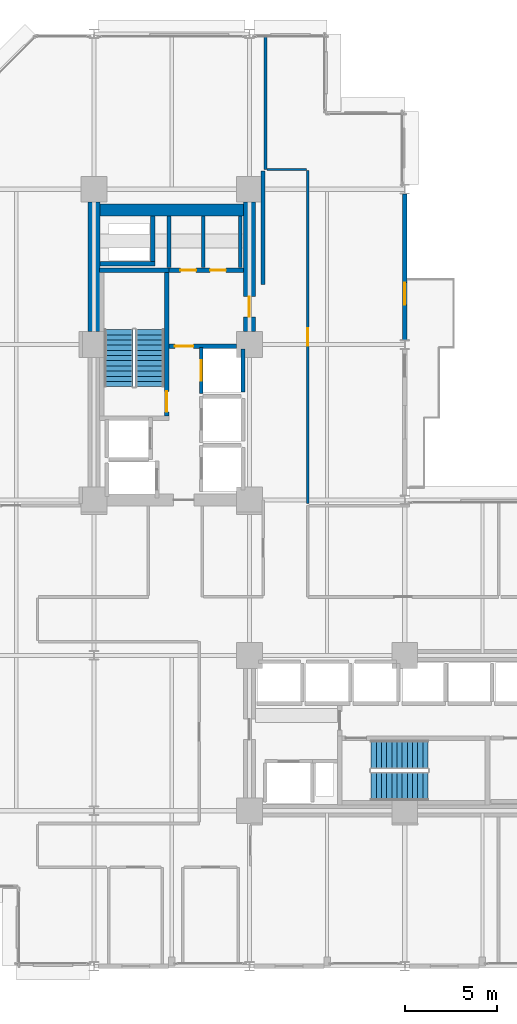
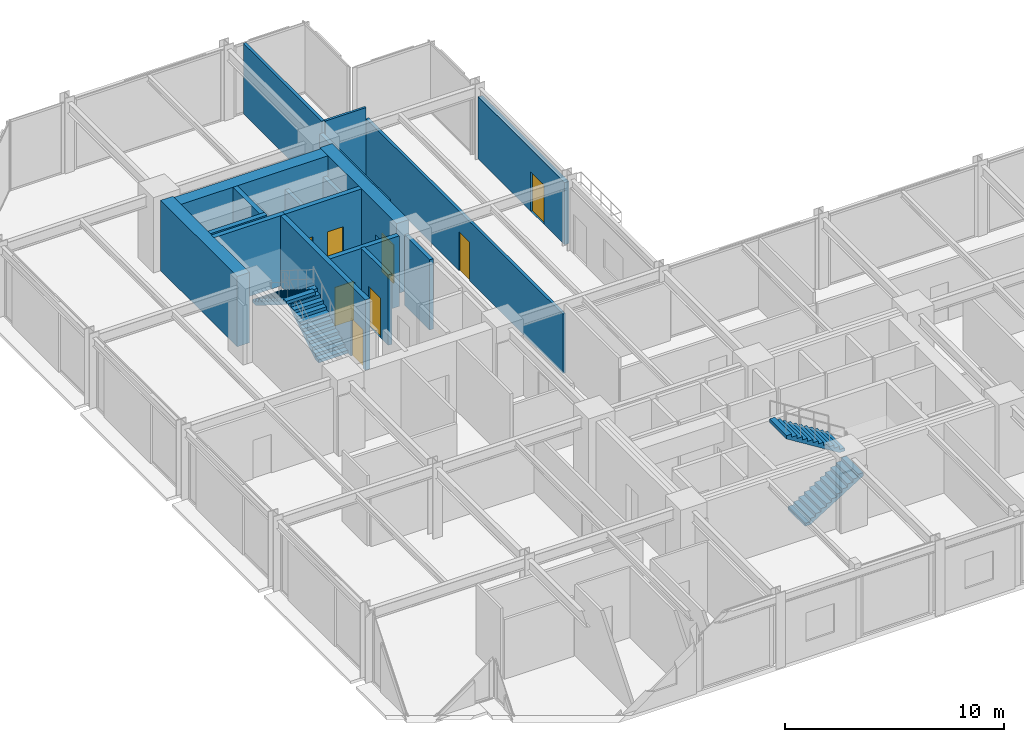
# One storey, part 22 of 25: 19 walls, 8 doors, 4 stair flights, 8 openings, 2 elements without a shape of their own.
"""IFC4 building model written with IfcOpenShell, lengths in metres."""

from ifc_helpers import new_model, si_unit, direction, frame, frame_2d, origin, place, context, subcontext, project, spatial, polyline, rectangle, outline, extrude, material, layer, layer_set, type_object, element, fill, aggregate, save


model = new_model("IFC4")

# Units and contexts
model_context = context("Model", 3, precision=1e-05, world=origin(), true_north=direction((0.0, 1.0)))
body_context = subcontext(model_context, "Body", "Model", "MODEL_VIEW")
ifc_project = project(units=[si_unit("LENGTHUNIT", "METRE"), si_unit("AREAUNIT", "SQUARE_METRE"), si_unit("VOLUMEUNIT", "CUBIC_METRE"), si_unit("PLANEANGLEUNIT", "RADIAN"), si_unit("MASSUNIT", "GRAM", prefix="KILO")], contexts=[model_context])

# Site, building, storey
site_placement = place(None, origin())
site = spatial("IfcSite", under=ifc_project, at=site_placement, CompositionType="ELEMENT")
building_placement = place(site_placement, origin())
building = spatial("IfcBuilding", under=site, at=building_placement, Name="Nerrivon Quay Data Exchange", CompositionType="ELEMENT")
storey_placement = place(building_placement, frame((0.0, 0.0, 41.60009765625)))
storey = spatial("IfcBuildingStorey", under=building, at=storey_placement, Name="L09", CompositionType="ELEMENT", Elevation=41.60009765625)

# Wall, opening, door
ifc_material_1 = material(Name="Architectural terracotta precast concrete N50 (50 MPa)", Category="masonry")
ifc_layer_1 = layer(ifc_material_1, 0.239990234375)
ifc_layer_set_1 = layer_set([ifc_layer_1], Name="Architectural terracotta precast concrete N50 (50 MPa)")
wall_type_1 = type_object("IfcWallType", Name="EW-PREC-240", PredefinedType="STANDARD", material=ifc_layer_set_1)
wall_1_placement = place(storey_placement, frame((25.199951171875, 41.75, 0.0), z_axis=(0.0, 0.0, 1.0), x_axis=(0.0, -1.0, 0.0)))
wall_1 = element("IfcWall", 1, at=wall_1_placement, inside=storey, type_object=wall_type_1, Name="L09 Terrace Host Wall 26", PredefinedType="STANDARD", context=body_context, shape_type="SweptSolid", body=[
    extrude(rectangle(XDim=7.89990234375, YDim=0.239990234375, at=frame_2d((3.949951171875, 0.0))), origin(), (0.0, 0.0, 1.0), 3.470947265625),
])
opening_1_placement = place(wall_1_placement, frame((4.800048828125, 0.0, 0.0)))
opening_1 = element("IfcOpeningElement", 2, at=opening_1_placement, cuts=wall_1, Name="Opening TD1", PredefinedType="OPENING", context=body_context, shape_type="SweptSolid", body=[
    extrude(rectangle(XDim=1.199951171875, YDim=2.199951171875, at=frame_2d((0.60009765625, 1.10009765625))), frame((0.0, 0.1298828125, 0.0), z_axis=(0.0, -1.0, 0.0), x_axis=(1.0, 0.0, 0.0)), (0.0, 0.0, 1.0), 0.260009765625),
])
ifc_material_2 = material(Name="Double-glazed low-E solar control glass", Category="glass")
door_type_1 = type_object("IfcDoorType", Name="DR-TERR-1200x2200", OperationType="NOTDEFINED", PredefinedType="DOOR", material=ifc_material_2)
door_1_placement = place(opening_1_placement, origin())
door_1 = element("IfcDoor", 3, at=door_1_placement, inside=storey, type_object=door_type_1, Name="L09 Outdoor Terrace Access Door 26", OperationType="SINGLE_SWING_LEFT", OverallHeight=2.199951171875, OverallWidth=1.199951171875, PredefinedType="DOOR", context=body_context, shape_type="SweptSolid", body=[
    extrude(rectangle(XDim=1.199951171875, YDim=2.199951171875, at=frame_2d((0.60009765625, 1.10009765625))), frame((0.0, 0.02490234375, 0.0), z_axis=(0.0, -1.0, 0.0), x_axis=(1.0, 0.0, 0.0)), (0.0, 0.0, 1.0), 0.050048828125),
])
fill(opening_1, door_1)

# Walls
ifc_material_3 = material(Name="Concrete N80 (80 MPa)", Category="concrete")
ifc_layer_2 = layer(ifc_material_3, 0.64990234375)
ifc_layer_set_2 = layer_set([ifc_layer_2], Name="Concrete N80 (80 MPa)")
wall_type_2 = type_object("IfcWallType", Name="WALL-CW-850", PredefinedType="SHEAR", material=ifc_layer_set_2)
wall_2_placement = place(storey_placement, frame((8.39990234375, 34.300048828125, 0.0), z_axis=(0.0, 0.0, 1.0), x_axis=(0.0, 1.0, 0.0)))
element("IfcWall", 4, at=wall_2_placement, inside=storey, type_object=wall_type_2, Name="L09 West Split-Core Shear Wall WCW-W2", PredefinedType="SHEAR", context=body_context, shape_type="SweptSolid", body=[
    extrude(rectangle(XDim=7.0, YDim=0.64990234375, at=frame_2d((3.5, 0.0))), origin(), (0.0, 0.0, 1.0), 3.9248046875),
])
wall_3_placement = place(storey_placement, frame((8.72509765625, 40.875, 0.0), z_axis=(0.0, 0.0, 1.0), x_axis=(1.0, 0.0, 0.0)))
element("IfcWall", 5, at=wall_3_placement, inside=storey, type_object=wall_type_2, Name="L09 West Split-Core Shear Wall WCW-N1", PredefinedType="SHEAR", context=body_context, shape_type="SweptSolid", body=[
    extrude(rectangle(XDim=7.75, YDim=0.64990234375, at=frame_2d((3.875, 0.0))), origin(), (0.0, 0.0, 1.0), 3.9248046875),
])

# Wall, opening, door
wall_4_placement = place(storey_placement, frame((16.800048828125, 34.300048828125, 0.0), z_axis=(0.0, 0.0, 1.0), x_axis=(0.0, 1.0, 0.0)))
wall_4 = element("IfcWall", 6, at=wall_4_placement, inside=storey, type_object=wall_type_2, Name="L09 West Split-Core Shear Wall WCW-E1", PredefinedType="SHEAR", context=body_context, shape_type="SweptSolid", body=[
    extrude(rectangle(XDim=7.0, YDim=0.64990234375, at=frame_2d((3.5, 0.0))), origin(), (0.0, 0.0, 1.0), 3.9248046875),
])
opening_2_placement = place(wall_4_placement, frame((0.800048828125, 0.0, 0.0)))
opening_2 = element("IfcOpeningElement", 7, at=opening_2_placement, cuts=wall_4, Name="Opening FD-120", PredefinedType="OPENING", context=body_context, shape_type="SweptSolid", body=[
    extrude(rectangle(XDim=1.10009765625, YDim=2.14990234375, at=frame_2d((0.550048828125, 1.074951171875))), frame((0.0, 0.3349609375, 0.0), z_axis=(0.0, -1.0, 0.0), x_axis=(1.0, 0.0, 0.0)), (0.0, 0.0, 1.0), 0.669921875),
])
ifc_material_4 = material(Name="Powder-coated galvanized steel sheet", Category="steel")
door_type_2 = type_object("IfcDoorType", Name="DR-FD120-1100", OperationType="NOTDEFINED", PredefinedType="DOOR", material=ifc_material_4)
door_2_placement = place(opening_2_placement, origin())
door_2 = element("IfcDoor", 8, at=door_2_placement, inside=storey, type_object=door_type_2, Name="L09 West Core Lobby Fire Door", OperationType="SINGLE_SWING_LEFT", OverallHeight=2.14990234375, OverallWidth=1.10009765625, PredefinedType="DOOR", context=body_context, shape_type="SweptSolid", body=[
    extrude(rectangle(XDim=1.10009765625, YDim=2.14990234375, at=frame_2d((0.550048828125, 1.074951171875))), frame((0.0, 0.02490234375, 0.0), z_axis=(0.0, -1.0, 0.0), x_axis=(1.0, 0.0, 0.0)), (0.0, 0.0, 1.0), 0.050048828125),
])
fill(opening_2, door_2)

ifc_material_5 = material(Name="Gypsum plasterboard on cold-formed framing", Category="gypsum")
ifc_layer_3 = layer(ifc_material_5, 0.199951171875)
ifc_layer_set_3 = layer_set([ifc_layer_3], Name="Gypsum plasterboard on cold-formed framing")
wall_type_3 = type_object("IfcWallType", Name="WALL-FW-200", PredefinedType="PARTITIONING", material=ifc_layer_set_3)
wall_5_placement = place(storey_placement, frame((14.199951171875, 30.949951171875, 0.0), z_axis=(0.0, 0.0, 1.0), x_axis=(0.0, 1.0, 0.0)))
wall_5 = element("IfcWall", 9, at=wall_5_placement, inside=storey, type_object=wall_type_3, Name="L09 Lift Front Wall PL3", PredefinedType="PARTITIONING", context=body_context, shape_type="SweptSolid", body=[
    extrude(rectangle(XDim=2.5, YDim=0.199951171875, at=frame_2d((1.25, 0.0))), origin(), (0.0, 0.0, 1.0), 3.9248046875),
])
opening_3_placement = place(wall_5_placement, frame((0.699951171875, 0.0, 0.0)))
opening_3 = element("IfcOpeningElement", 10, at=opening_3_placement, cuts=wall_5, Name="Opening LD-120", PredefinedType="OPENING", context=body_context, shape_type="SweptSolid", body=[
    extrude(rectangle(XDim=1.10009765625, YDim=2.199951171875, at=frame_2d((0.550048828125, 1.10009765625))), frame((0.0, 0.10986328125, 0.0), z_axis=(0.0, -1.0, 0.0), x_axis=(1.0, 0.0, 0.0)), (0.0, 0.0, 1.0), 0.219970703125),
])
door_type_3 = type_object("IfcDoorType", Name="DR-LIFT-LD120", OperationType="DOUBLE_DOOR_SLIDING", PredefinedType="DOOR", material=ifc_material_4)
door_3_placement = place(opening_3_placement, origin())
door_3 = element("IfcDoor", 11, at=door_3_placement, inside=storey, type_object=door_type_3, Name="L09 Lift Landing Sliding Door PL3", OperationType="DOUBLE_DOOR_SLIDING", OverallHeight=2.199951171875, OverallWidth=1.10009765625, PredefinedType="DOOR", context=body_context, shape_type="SweptSolid", body=[
    extrude(rectangle(XDim=1.10009765625, YDim=2.199951171875, at=frame_2d((0.550048828125, 1.10009765625))), frame((0.0, 0.02490234375, 0.0), z_axis=(0.0, -1.0, 0.0), x_axis=(1.0, 0.0, 0.0)), (0.0, 0.0, 1.0), 0.050048828125),
])
fill(opening_3, door_3)

# Walls
wall_6_placement = place(storey_placement, frame((16.449951171875, 31.050048828125, 0.0), z_axis=(0.0, 0.0, 1.0), x_axis=(0.0, 1.0, 0.0)))
element("IfcWall", 12, at=wall_6_placement, inside=storey, type_object=wall_type_3, Name="L09 Lift Shaft Wall PL3 EAST", PredefinedType="PARTITIONING", context=body_context, shape_type="SweptSolid", body=[
    extrude(rectangle(XDim=2.300048828125, YDim=0.199951171875, at=frame_2d((1.14990234375, 0.0))), origin(), (0.0, 0.0, 1.0), 3.9248046875),
])
for number, where, z_axis, x_axis, name in (
    (13, (14.300048828125, 37.780029296875, 0.0), (0.0, 0.0, 1.0), (0.0, 1.0, 0.0), "L09 Partition Cleaners Store"),
    (14, (12.449951171875, 40.5458984375, 0.0), (0.0, 0.0, 1.0), (0.0, -1.0, 0.0), "L09 Partition Cleaners Store"),
    (15, (16.300048828125, 37.780029296875, 0.0), (0.0, 0.0, 1.0), (0.0, 1.0, 0.0), "L09 Partition Janitor Closet"),
):
    element("IfcWall", number, at=place(storey_placement, frame(where, z_axis=z_axis, x_axis=x_axis)), inside=storey, type_object=wall_type_3, Name=name, PredefinedType="PARTITIONING", context=body_context, shape_type="SweptSolid", body=[
        extrude(rectangle(XDim=2.765869140625, YDim=0.199951171875, at=frame_2d((1.3828125, 0.0))), origin(), (0.0, 0.0, 1.0), 2.824951171875),
    ])
wall_7_placement = place(storey_placement, frame((17.5400390625, 36.860107421875, 0.0), z_axis=(0.0, 0.0, 1.0), x_axis=(0.0, 1.0, 0.0)))
element("IfcWall", 16, at=wall_7_placement, inside=storey, type_object=wall_type_3, Name="L09 Partition Colocation Data Workspace 1", PredefinedType="PARTITIONING", context=body_context, shape_type="SweptSolid", body=[
    extrude(rectangle(XDim=6.139892578125, YDim=0.199951171875, at=frame_2d((3.06982421875, 0.0))), origin(), (0.0, 0.0, 1.0), 3.31298828125),
])
ifc_layer_4 = layer(ifc_material_5, 0.1201171875)
ifc_layer_set_4 = layer_set([ifc_layer_4], Name="Gypsum plasterboard on cold-formed framing")
wall_type_4 = type_object("IfcWallType", Name="WALL-PT-120", PredefinedType="PARTITIONING", material=ifc_layer_set_4)
wall_8_placement = place(storey_placement, frame((17.7490234375, 43.06005859375, 0.0), z_axis=(0.0, 0.0, 1.0), x_axis=(1.0, 0.0, 0.0)))
element("IfcWall", 17, at=wall_8_placement, inside=storey, type_object=wall_type_4, Name="L09 Partition Technical Library", PredefinedType="PARTITIONING", context=body_context, shape_type="SweptSolid", body=[
    extrude(rectangle(XDim=2.15087890625, YDim=0.1201171875, at=frame_2d((1.075439453125, 0.0))), origin(), (0.0, 0.0, 1.0), 3.9248046875),
])

# Wall, opening, door
ifc_layer_5 = layer(ifc_material_5, 0.14990234375)
ifc_layer_set_5 = layer_set([ifc_layer_5], Name="Gypsum plasterboard on cold-formed framing")
wall_type_5 = type_object("IfcWallType", Name="WALL-PT-150", PredefinedType="PARTITIONING", material=ifc_layer_set_5)
wall_9_placement = place(storey_placement, frame((19.959716796875, 43.005859375, 0.0), z_axis=(0.0, 0.0, 1.0), x_axis=(1.3574599e-05, -0.999999999908, 0.0)))
wall_9 = element("IfcWall", 18, at=wall_9_placement, inside=storey, type_object=wall_type_5, Name="L09 Partition Technical Library", PredefinedType="PARTITIONING", context=body_context, shape_type="SweptSolid", body=[
    extrude(rectangle(XDim=17.985107421875, YDim=0.14990234375, at=frame_2d((8.99267578125, 0.0))), origin(), (0.0, 0.0, 1.0), 3.31298828125),
])
opening_4_placement = place(wall_9_placement, frame((8.517578125, 0.0, 0.0)))
opening_4 = element("IfcOpeningElement", 19, at=opening_4_placement, cuts=wall_9, Name="Opening D-01", PredefinedType="OPENING", context=body_context, shape_type="SweptSolid", body=[
    extrude(rectangle(XDim=0.949951171875, YDim=2.14990234375, at=frame_2d((0.47509765625, 1.074951171875))), frame((0.0, 0.0849609375, 0.0), z_axis=(0.0, -1.0, 0.0), x_axis=(1.0, 0.0, 0.0)), (0.0, 0.0, 1.0), 0.169921875),
])
ifc_material_6 = material(Name="Engineered hardwood timber", Category="wood")
door_type_4 = type_object("IfcDoorType", Name="DR-INT-950", OperationType="NOTDEFINED", PredefinedType="DOOR", material=ifc_material_6)
door_4_placement = place(opening_4_placement, origin())
door_4 = element("IfcDoor", 20, at=door_4_placement, inside=storey, type_object=door_type_4, Name="L09 Door Technical Library", OperationType="SINGLE_SWING_LEFT", OverallHeight=2.14990234375, OverallWidth=0.949951171875, PredefinedType="DOOR", context=body_context, shape_type="SweptSolid", body=[
    extrude(rectangle(XDim=0.949951171875, YDim=2.14990234375, at=frame_2d((0.47509765625, 1.074951171875))), frame((0.0, 0.02490234375, 0.0), z_axis=(0.0, -1.0, 0.0), x_axis=(1.0, 0.0, 0.0)), (0.0, 0.0, 1.0), 0.050048828125),
])
fill(opening_4, door_4)

# Walls
wall_10_placement = place(storey_placement, frame((17.669921875, 50.23095703125, 0.0), z_axis=(0.0, 0.0, 1.0), x_axis=(0.0, -1.0, 0.0)))
element("IfcWall", 21, at=wall_10_placement, inside=storey, type_object=wall_type_5, Name="L09 Partition Technical Library", PredefinedType="PARTITIONING", context=body_context, shape_type="SweptSolid", body=[
    extrude(rectangle(XDim=7.1708984375, YDim=0.14990234375, at=frame_2d((3.58544921875, 0.0))), origin(), (0.0, 0.0, 1.0), 3.9248046875),
])
ifc_material_7 = material(Name="Concrete N50 (50 MPa)", Category="concrete")
ifc_layer_6 = layer(ifc_material_7, 0.25)
ifc_layer_set_6 = layer_set([ifc_layer_6], Name="Concrete N50 (50 MPa)")
wall_type_6 = type_object("IfcWallType", Name="WALL-SW-250", PredefinedType="SHEAR", material=ifc_layer_set_6)
wall_11_placement = place(storey_placement, frame((12.449951171875, 37.625, 0.0), z_axis=(0.0, 0.0, 1.0), x_axis=(-1.0, 0.0, 0.0)))
element("IfcWall", 22, at=wall_11_placement, inside=storey, type_object=wall_type_6, Name="L09 ST01 Structural Stair Core Wall FAR", PredefinedType="SHEAR", context=body_context, shape_type="SweptSolid", body=[
    extrude(rectangle(XDim=3.75, YDim=0.25, at=frame_2d((1.875, 0.0))), origin(), (0.0, 0.0, 1.0), 3.9248046875),
])

# Wall, opening, door
wall_12_placement = place(storey_placement, frame((12.324951171875, 29.75, 0.0), z_axis=(0.0, 0.0, 1.0), x_axis=(0.0, 1.0, 0.0)))
wall_12 = element("IfcWall", 23, at=wall_12_placement, inside=storey, type_object=wall_type_6, Name="L09 ST01 Structural Stair Core Wall LEFT", PredefinedType="SHEAR", context=body_context, shape_type="SweptSolid", body=[
    extrude(rectangle(XDim=7.75, YDim=0.25, at=frame_2d((3.875, 0.0))), origin(), (0.0, 0.0, 1.0), 3.9248046875),
])
opening_5_placement = place(wall_12_placement, frame((0.219970703125, 0.0, 0.0)))
opening_5 = element("IfcOpeningElement", 24, at=opening_5_placement, cuts=wall_12, Name="Opening FD-120", PredefinedType="OPENING", context=body_context, shape_type="SweptSolid", body=[
    extrude(rectangle(XDim=1.10009765625, YDim=2.14990234375, at=frame_2d((0.550048828125, 1.074951171875))), frame((0.0, 0.135009765625, 0.0), z_axis=(0.0, -1.0, 0.0), x_axis=(1.0, 0.0, 0.0)), (0.0, 0.0, 1.0), 0.27001953125),
])
door_5_placement = place(opening_5_placement, origin())
door_5 = element("IfcDoor", 25, at=door_5_placement, inside=storey, type_object=door_type_2, Name="L09 Protected Stair Door ST01", OperationType="SINGLE_SWING_LEFT", OverallHeight=2.14990234375, OverallWidth=1.10009765625, PredefinedType="DOOR", context=body_context, shape_type="SweptSolid", body=[
    extrude(rectangle(XDim=1.10009765625, YDim=2.14990234375, at=frame_2d((0.550048828125, 1.074951171875))), frame((0.0, 0.02490234375, 0.0), z_axis=(0.0, -1.0, 0.0), x_axis=(1.0, 0.0, 0.0)), (0.0, 0.0, 1.0), 0.050048828125),
])
fill(opening_5, door_5)

# Walls
wall_13_placement = place(storey_placement, frame((8.72509765625, 37.97509765625, 0.0), z_axis=(0.0, 0.0, 1.0), x_axis=(1.0, 0.0, 0.0)))
element("IfcWall", 26, at=wall_13_placement, inside=storey, type_object=wall_type_6, Name="L09 West Core MEP Riser Shaft Wall S", PredefinedType="SHEAR", context=body_context, shape_type="SweptSolid", body=[
    extrude(rectangle(XDim=2.974853515625, YDim=0.25, at=frame_2d((1.4873046875, 0.0))), origin(), (0.0, 0.0, 1.0), 3.9248046875),
])
wall_14_placement = place(storey_placement, frame((11.574951171875, 38.10009765625, 0.0), z_axis=(0.0, 0.0, 1.0), x_axis=(0.0, 1.0, 0.0)))
element("IfcWall", 27, at=wall_14_placement, inside=storey, type_object=wall_type_6, Name="L09 West Core MEP Riser Shaft Wall E", PredefinedType="SHEAR", context=body_context, shape_type="SweptSolid", body=[
    extrude(rectangle(XDim=2.449951171875, YDim=0.25, at=frame_2d((1.22509765625, 0.0))), origin(), (0.0, 0.0, 1.0), 3.9248046875),
])

# Wall, opening, door
wall_15_placement = place(storey_placement, frame((12.449951171875, 33.52001953125, 0.0), z_axis=(0.0, 0.0, 1.0), x_axis=(1.0, 0.0, 0.0)))
wall_15 = element("IfcWall", 28, at=wall_15_placement, inside=storey, type_object=wall_type_6, Name="L09 West Lobby Smoke-Stop Wall", PredefinedType="SHEAR", context=body_context, shape_type="SweptSolid", body=[
    extrude(rectangle(XDim=3.650146484375, YDim=0.25, at=frame_2d((1.8251953125, 0.0))), origin(), (0.0, 0.0, 1.0), 3.9248046875),
])
opening_6_placement = place(wall_15_placement, frame((0.320068359375, 0.0, 0.0)))
opening_6 = element("IfcOpeningElement", 29, at=opening_6_placement, cuts=wall_15, Name="Opening FD-60", PredefinedType="OPENING", context=body_context, shape_type="SweptSolid", body=[
    extrude(rectangle(XDim=1.0, YDim=2.14990234375, at=frame_2d((0.5, 1.074951171875))), frame((0.0, 0.135009765625, 0.0), z_axis=(0.0, -1.0, 0.0), x_axis=(1.0, 0.0, 0.0)), (0.0, 0.0, 1.0), 0.27001953125),
])
door_type_5 = type_object("IfcDoorType", Name="DR-FD60-1000", OperationType="NOTDEFINED", PredefinedType="DOOR", material=ifc_material_6)
door_6_placement = place(opening_6_placement, origin())
door_6 = element("IfcDoor", 30, at=door_6_placement, inside=storey, type_object=door_type_5, Name="L09 West Firefighting Lobby Fire Door", OperationType="SINGLE_SWING_LEFT", OverallHeight=2.14990234375, OverallWidth=1.0, PredefinedType="DOOR", context=body_context, shape_type="SweptSolid", body=[
    extrude(rectangle(XDim=1.0, YDim=2.14990234375, at=frame_2d((0.5, 1.074951171875))), frame((0.0, 0.02490234375, 0.0), z_axis=(0.0, -1.0, 0.0), x_axis=(1.0, 0.0, 0.0)), (0.0, 0.0, 1.0), 0.050048828125),
])
fill(opening_6, door_6)

# Wall, openings, doors
wall_16_placement = place(storey_placement, frame((12.449951171875, 37.625, 0.0), z_axis=(0.0, 0.0, 1.0), x_axis=(1.0, 0.0, 0.0)))
wall_16 = element("IfcWall", 31, at=wall_16_placement, inside=storey, type_object=wall_type_6, Name="L09 West Firefighting Lobby Wall", PredefinedType="SHEAR", context=body_context, shape_type="SweptSolid", body=[
    extrude(rectangle(XDim=4.025146484375, YDim=0.25, at=frame_2d((2.0126953125, 0.0))), origin(), (0.0, 0.0, 1.0), 3.9248046875),
])
opening_7_placement = place(wall_16_placement, frame((0.62158203125, 0.0, 0.0)))
opening_7 = element("IfcOpeningElement", 32, at=opening_7_placement, cuts=wall_16, Name="Opening FD-60S", PredefinedType="OPENING", context=body_context, shape_type="SweptSolid", body=[
    extrude(rectangle(XDim=0.85009765625, YDim=2.14990234375, at=frame_2d((0.425048828125, 1.074951171875))), frame((0.0, 0.135009765625, 0.0), z_axis=(0.0, -1.0, 0.0), x_axis=(1.0, 0.0, 0.0)), (0.0, 0.0, 1.0), 0.27001953125),
])
opening_8_placement = place(wall_16_placement, frame((2.2314453125, 0.0, 0.0)))
opening_8 = element("IfcOpeningElement", 33, at=opening_8_placement, cuts=wall_16, Name="Opening FD-60S", PredefinedType="OPENING", context=body_context, shape_type="SweptSolid", body=[
    extrude(rectangle(XDim=0.85009765625, YDim=2.14990234375, at=frame_2d((0.425048828125, 1.074951171875))), frame((0.0, 0.135009765625, 0.0), z_axis=(0.0, -1.0, 0.0), x_axis=(1.0, 0.0, 0.0)), (0.0, 0.0, 1.0), 0.27001953125),
])
door_type_6 = type_object("IfcDoorType", Name="DR-FD60-850", OperationType="NOTDEFINED", PredefinedType="DOOR", material=ifc_material_6)
door_7_placement = place(opening_7_placement, origin())
door_7 = element("IfcDoor", 34, at=door_7_placement, inside=storey, type_object=door_type_6, Name="L09 Door Cleaners Store", OperationType="SINGLE_SWING_LEFT", OverallHeight=2.14990234375, OverallWidth=0.85009765625, PredefinedType="DOOR", context=body_context, shape_type="SweptSolid", body=[
    extrude(rectangle(XDim=0.85009765625, YDim=2.14990234375, at=frame_2d((0.425048828125, 1.074951171875))), frame((0.0, 0.02490234375, 0.0), z_axis=(0.0, -1.0, 0.0), x_axis=(1.0, 0.0, 0.0)), (0.0, 0.0, 1.0), 0.050048828125),
])
fill(opening_7, door_7)
door_8_placement = place(opening_8_placement, origin())
door_8 = element("IfcDoor", 35, at=door_8_placement, inside=storey, type_object=door_type_6, Name="L09 Door Janitor Closet", OperationType="SINGLE_SWING_RIGHT", OverallHeight=2.14990234375, OverallWidth=0.85009765625, PredefinedType="DOOR", context=body_context, shape_type="SweptSolid", body=[
    extrude(rectangle(XDim=0.85009765625, YDim=2.14990234375, at=frame_2d((0.425048828125, 1.074951171875))), frame((0.0, 0.02490234375, 0.0), z_axis=(0.0, -1.0, 0.0), x_axis=(1.0, 0.0, 0.0)), (0.0, 0.0, 1.0), 0.050048828125),
])
fill(opening_8, door_8)

# Stair, stair flights
stair_type = type_object("IfcStairType", Name="STAIR-DOG-42", PredefinedType="HALF_TURN_STAIR", material=ifc_material_7)
stair_1_placement = place(storey_placement, origin())
stair_1 = element("IfcStair", 36, at=stair_1_placement, inside=storey, type_object=stair_type, Name="L09 West Core Fire Stair ST01", PredefinedType="HALF_TURN_STAIR")
stair_flight_type = type_object("IfcStairFlightType", Name="FLIGHT-DOG-42", PredefinedType="STRAIGHT", material=ifc_material_7)
stair_flight_1_placement = place(storey_placement, frame((11.425048828125, 31.330078125, 0.0), z_axis=(0.0, 0.0, 1.0), x_axis=(0.0, 1.0, 0.0)))
stair_flight_1 = element("IfcStairFlight", 37, at=stair_flight_1_placement, type_object=stair_flight_type, Name="ST01 flight 1", NumberOfRisers=12, NumberOfTreads=11, PredefinedType="STRAIGHT", RiserHeight=0.175, TreadLength=0.28, context=body_context, shape_type="SweptSolid", body=[
    extrude(outline(polyline([(0.0, 0.0), (0.0, 0.175048828125), (0.280029296875, 0.175048828125), (0.280029296875, 0.35009765625), (0.56005859375, 0.35009765625), (0.56005859375, 0.52490234375), (0.840087890625, 0.52490234375), (0.840087890625, 0.699951171875), (1.1201171875, 0.699951171875), (1.1201171875, 0.875), (1.39990234375, 0.875), (1.39990234375, 1.050048828125), (1.679931640625, 1.050048828125), (1.679931640625, 1.22509765625), (1.9599609375, 1.22509765625), (1.9599609375, 1.39990234375), (2.239990234375, 1.39990234375), (2.239990234375, 1.574951171875), (2.52001953125, 1.574951171875), (2.52001953125, 1.75), (2.800048828125, 1.75), (2.800048828125, 1.925048828125), (3.080078125, 1.925048828125), (3.080078125, 2.10009765625), (3.080078125, 1.748291015625), (0.28271484375, 0.0), (0.0, 0.0)])), frame((0.0, 0.77490234375, 0.0), z_axis=(0.0, -1.0, 0.0), x_axis=(1.0, 0.0, 0.0)), (0.0, 0.0, 1.0), 1.550048828125),
])
stair_flight_2_placement = place(storey_placement, frame((9.72509765625, 34.409912109375, 2.099853515625), z_axis=(0.0, 0.0, 1.0), x_axis=(0.0, -1.0, 0.0)))
stair_flight_2 = element("IfcStairFlight", 38, at=stair_flight_2_placement, type_object=stair_flight_type, Name="ST01 flight 2", NumberOfRisers=12, NumberOfTreads=11, PredefinedType="STRAIGHT", RiserHeight=0.175, TreadLength=0.28, context=body_context, shape_type="SweptSolid", body=[
    extrude(outline(polyline([(0.0, 0.0), (0.0, 0.175048828125), (0.280029296875, 0.175048828125), (0.280029296875, 0.35009765625), (0.56005859375, 0.35009765625), (0.56005859375, 0.52490234375), (0.840087890625, 0.52490234375), (0.840087890625, 0.699951171875), (1.1201171875, 0.699951171875), (1.1201171875, 0.875), (1.39990234375, 0.875), (1.39990234375, 1.050048828125), (1.679931640625, 1.050048828125), (1.679931640625, 1.22509765625), (1.9599609375, 1.22509765625), (1.9599609375, 1.39990234375), (2.239990234375, 1.39990234375), (2.239990234375, 1.574951171875), (2.52001953125, 1.574951171875), (2.52001953125, 1.75), (2.800048828125, 1.75), (2.800048828125, 1.925048828125), (3.080078125, 1.925048828125), (3.080078125, 2.10009765625), (3.080078125, 1.748291015625), (0.28271484375, 0.0), (0.0, 0.0)])), frame((0.0, 0.77490234375, 0.0), z_axis=(0.0, -1.0, 0.0), x_axis=(1.0, 0.0, 0.0)), (0.0, 0.0, 1.0), 1.550048828125),
])
aggregate(stair_1, [stair_flight_1, stair_flight_2])

stair_2_placement = place(storey_placement, origin())
stair_2 = element("IfcStair", 39, at=stair_2_placement, inside=storey, type_object=stair_type, Name="L09 East Core Fire Stair ST02", PredefinedType="HALF_TURN_STAIR")
stair_flight_3_placement = place(storey_placement, frame((23.3798828125, 9.72509765625, 0.0), z_axis=(0.0, 0.0, 1.0), x_axis=(1.0, 0.0, 0.0)))
stair_flight_3 = element("IfcStairFlight", 40, at=stair_flight_3_placement, type_object=stair_flight_type, Name="ST02 flight 1", NumberOfRisers=12, NumberOfTreads=11, PredefinedType="STRAIGHT", RiserHeight=0.175, TreadLength=0.28, context=body_context, shape_type="SweptSolid", body=[
    extrude(outline(polyline([(0.0, 0.0), (0.0, 0.175048828125), (0.280029296875, 0.175048828125), (0.280029296875, 0.35009765625), (0.56005859375, 0.35009765625), (0.56005859375, 0.52490234375), (0.840087890625, 0.52490234375), (0.840087890625, 0.699951171875), (1.1201171875, 0.699951171875), (1.1201171875, 0.875), (1.39990234375, 0.875), (1.39990234375, 1.050048828125), (1.679931640625, 1.050048828125), (1.679931640625, 1.22509765625), (1.9599609375, 1.22509765625), (1.9599609375, 1.39990234375), (2.239990234375, 1.39990234375), (2.239990234375, 1.574951171875), (2.52001953125, 1.574951171875), (2.52001953125, 1.75), (2.800048828125, 1.75), (2.800048828125, 1.925048828125), (3.080078125, 1.925048828125), (3.080078125, 2.10009765625), (3.080078125, 1.748291015625), (0.28271484375, 0.0), (0.0, 0.0)])), frame((0.0, 0.77490234375, 0.0), z_axis=(0.0, -1.0, 0.0), x_axis=(1.0, 0.0, 0.0)), (0.0, 0.0, 1.0), 1.550048828125),
])
stair_flight_4_placement = place(storey_placement, frame((26.4599609375, 11.425048828125, 2.099853515625), z_axis=(0.0, 0.0, 1.0), x_axis=(-1.0, 0.0, 0.0)))
stair_flight_4 = element("IfcStairFlight", 41, at=stair_flight_4_placement, type_object=stair_flight_type, Name="ST02 flight 2", NumberOfRisers=12, NumberOfTreads=11, PredefinedType="STRAIGHT", RiserHeight=0.175, TreadLength=0.28, context=body_context, shape_type="SweptSolid", body=[
    extrude(outline(polyline([(0.0, 0.0), (0.0, 0.175048828125), (0.280029296875, 0.175048828125), (0.280029296875, 0.35009765625), (0.56005859375, 0.35009765625), (0.56005859375, 0.52490234375), (0.840087890625, 0.52490234375), (0.840087890625, 0.699951171875), (1.1201171875, 0.699951171875), (1.1201171875, 0.875), (1.39990234375, 0.875), (1.39990234375, 1.050048828125), (1.679931640625, 1.050048828125), (1.679931640625, 1.22509765625), (1.9599609375, 1.22509765625), (1.9599609375, 1.39990234375), (2.239990234375, 1.39990234375), (2.239990234375, 1.574951171875), (2.52001953125, 1.574951171875), (2.52001953125, 1.75), (2.800048828125, 1.75), (2.800048828125, 1.925048828125), (3.080078125, 1.925048828125), (3.080078125, 2.10009765625), (3.080078125, 1.748291015625), (0.28271484375, 0.0), (0.0, 0.0)])), frame((0.0, 0.77490234375, 0.0), z_axis=(0.0, -1.0, 0.0), x_axis=(1.0, 0.0, 0.0)), (0.0, 0.0, 1.0), 1.550048828125),
])
aggregate(stair_2, [stair_flight_3, stair_flight_4])

save(model, "model.ifc")
